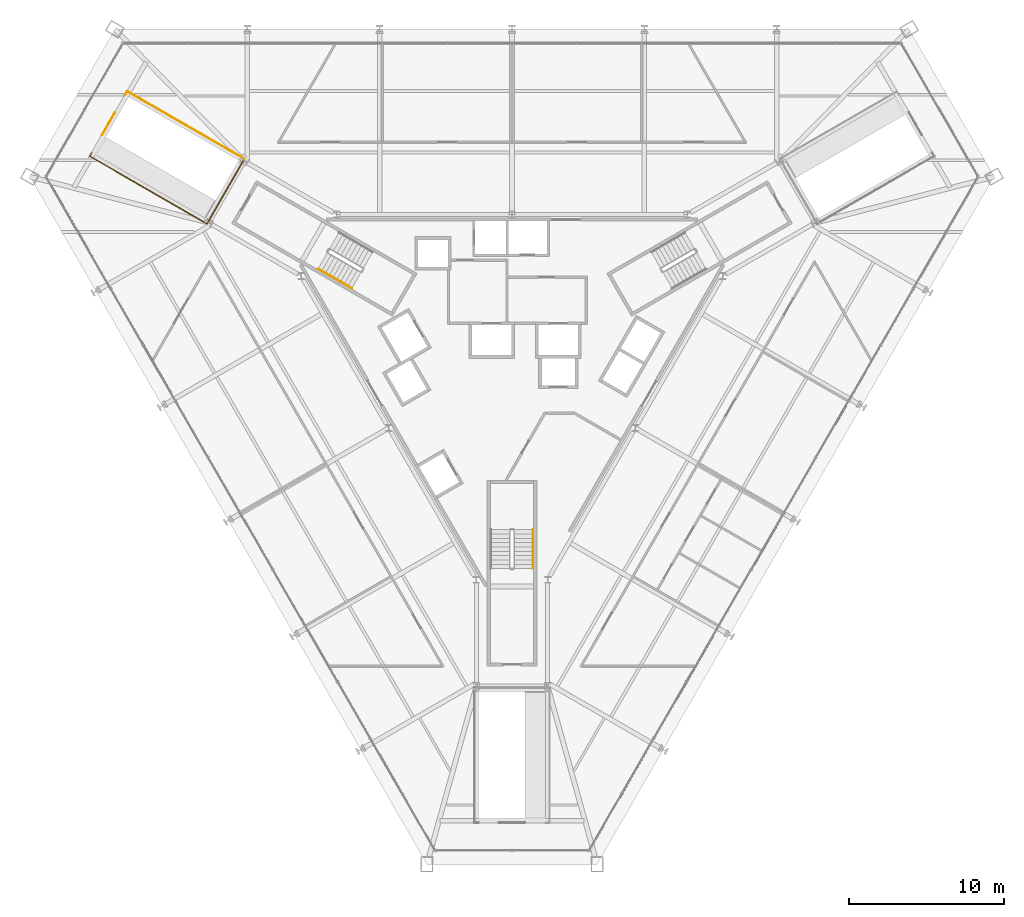
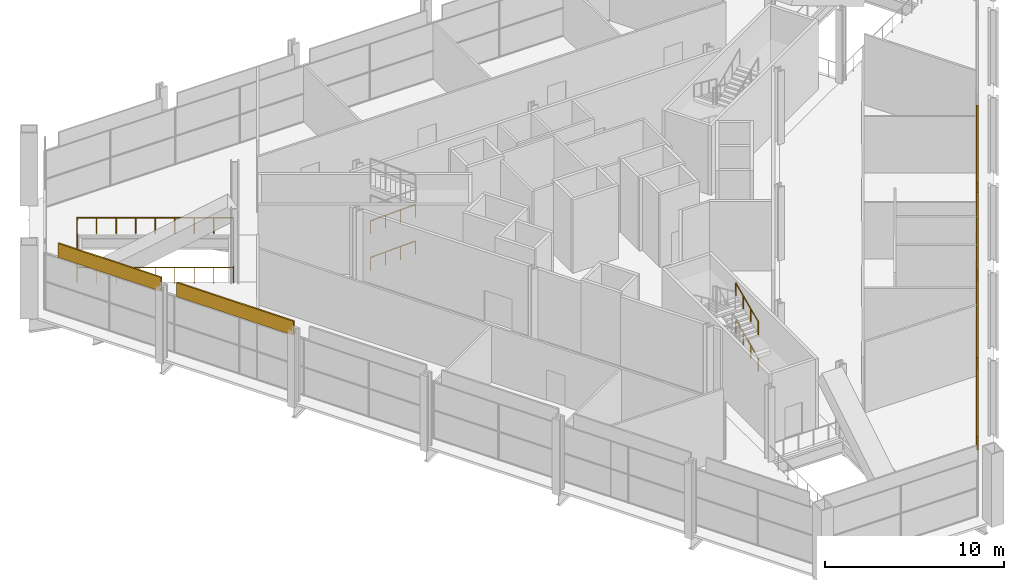
# One storey, part 17 of 20: 7 railings, 6 coverings.
"""IFC4 building model written with IfcOpenShell, lengths in metres."""

from ifc_helpers import new_model, si_unit, direction, frame, origin, origin_2d, place, context, subcontext, project, spatial, rectangle, circle, extrude, material, layer, layer_set, type_object, element, save


model = new_model("IFC4")

# Units and contexts
model_context = context("Model", 3, precision=1e-05, world=origin(), true_north=direction((0.0, 1.0)))
body_context = subcontext(model_context, "Body", "Model", "MODEL_VIEW")
ifc_project = project(units=[si_unit("LENGTHUNIT", "METRE"), si_unit("AREAUNIT", "SQUARE_METRE"), si_unit("VOLUMEUNIT", "CUBIC_METRE"), si_unit("PLANEANGLEUNIT", "RADIAN"), si_unit("MASSUNIT", "GRAM", prefix="KILO")], contexts=[model_context])

# Site, building, storey
site_placement = place(None, origin())
site = spatial("IfcSite", under=ifc_project, at=site_placement, CompositionType="ELEMENT")
building_placement = place(site_placement, origin())
building = spatial("IfcBuilding", under=site, at=building_placement, Name="Verrane Prism Tower", CompositionType="ELEMENT")
storey_placement = place(building_placement, frame((0.0, 0.0, 17.39990234375)))
storey = spatial("IfcBuildingStorey", under=building, at=storey_placement, Name="L02", CompositionType="ELEMENT", Elevation=17.39990234375)

# Coverings
ifc_material_1 = material(Name="Limestone cladding", Category="masonry")
ifc_layer = layer(ifc_material_1, 0.10009765625)
ifc_layer_set = layer_set([ifc_layer], Name="FA-100 stone fascia panel")
covering_type = type_object("IfcCoveringType", Name="FA-100 stone fascia panel", PredefinedType="CLADDING", material=ifc_layer_set)
covering_1_placement = place(storey_placement, frame((-28.026123046875, 8.002685546875, 3.89013671875), z_axis=(0.0, 0.0, 1.0), x_axis=(0.500000118955, -0.866025335106, 0.0)))
element("IfcCovering", 1, at=covering_1_placement, inside=storey, type_object=covering_type, Name="Stone fascia L02 4.1", PredefinedType="CLADDING", context=body_context, shape_type="SweptSolid", body=[
    extrude(rectangle(XDim=6.670654296875, YDim=0.10009765625, at=origin_2d()), origin(), (0.0, 0.0, 1.0), 0.949951171875),
])
covering_2_placement = place(storey_placement, frame((-23.96923828125, 0.975830078125, 3.89013671875), z_axis=(0.0, 0.0, 1.0), x_axis=(0.500000118955, -0.866025335106, 0.0)))
element("IfcCovering", 2, at=covering_2_placement, inside=storey, type_object=covering_type, Name="Stone fascia L02 4.2", PredefinedType="CLADDING", context=body_context, shape_type="SweptSolid", body=[
    extrude(rectangle(XDim=7.557373046875, YDim=0.10009765625, at=origin_2d()), origin(), (0.0, 0.0, 1.0), 0.949951171875),
])
covering_3_placement = place(storey_placement, frame((7.081787109375, -28.27392578125, 3.89013671875), z_axis=(0.0, 0.0, 1.0), x_axis=(0.500000118955, 0.866025335106, 0.0)))
element("IfcCovering", 3, at=covering_3_placement, inside=storey, type_object=covering_type, Name="Stone fascia L02 6.1", PredefinedType="CLADDING", context=body_context, shape_type="SweptSolid", body=[
    extrude(rectangle(XDim=6.67578125, YDim=0.10009765625, at=origin_2d()), origin(), (0.0, 0.0, 1.0), 0.949951171875),
])
covering_4_placement = place(storey_placement, frame((11.14013671875, -21.244873046875, 3.89013671875), z_axis=(0.0, 0.0, 1.0), x_axis=(0.500000118955, 0.866025335106, 0.0)))
element("IfcCovering", 4, at=covering_4_placement, inside=storey, type_object=covering_type, Name="Stone fascia L02 6.2", PredefinedType="CLADDING", context=body_context, shape_type="SweptSolid", body=[
    extrude(rectangle(XDim=7.55712890625, YDim=0.10009765625, at=origin_2d()), origin(), (0.0, 0.0, 1.0), 0.949951171875),
])
covering_5_placement = place(storey_placement, frame((15.415283203125, -13.83984375, 3.89013671875), z_axis=(0.0, 0.0, 1.0), x_axis=(0.500000118955, 0.866025335106, 0.0)))
element("IfcCovering", 5, at=covering_5_placement, inside=storey, type_object=covering_type, Name="Stone fascia L02 6.3", PredefinedType="CLADDING", context=body_context, shape_type="SweptSolid", body=[
    extrude(rectangle(XDim=7.543701171875, YDim=0.10009765625, at=origin_2d()), origin(), (0.0, 0.0, 1.0), 0.949951171875),
])
covering_6_placement = place(storey_placement, frame((19.6904296875, -6.43505859375, 3.89013671875), z_axis=(0.0, 0.0, 1.0), x_axis=(0.500000118955, 0.866025335106, 0.0)))
element("IfcCovering", 6, at=covering_6_placement, inside=storey, type_object=covering_type, Name="Stone fascia L02 6.4", PredefinedType="CLADDING", context=body_context, shape_type="SweptSolid", body=[
    extrude(rectangle(XDim=7.55712890625, YDim=0.10009765625, at=origin_2d()), origin(), (0.0, 0.0, 1.0), 0.949951171875),
])

# Railings
ifc_material_2 = material(Name="Stainless steel and laminated glass", Category="steel")
railing_type_1 = type_object("IfcRailingType", Name="GR-1100 glass and steel guard", PredefinedType="GUARDRAIL", material=ifc_material_2)
railing_1_placement = place(storey_placement, frame((-17.296875, 12.78076171875, 0.0)))
element("IfcRailing", 7, at=railing_1_placement, inside=storey, type_object=railing_type_1, Name="Guard EW2 L02 1", PredefinedType="GUARDRAIL", context=body_context, shape_type="SweptSolid", body=[
    extrude(circle(Radius=0.02392578125, at=origin_2d()), frame((0.0, 0.0, 1.076171875), z_axis=(-0.866029934428, 0.499992152613, 0.0), x_axis=(-0.499992152613, -0.866029934428, 0.0)), (0.0, 0.0, 1.0), 8.750244140625),
    extrude(circle(Radius=0.02392578125, at=origin_2d()), frame((-7.577880859375, 4.375, 1.076171875), z_axis=(-0.499919672301, -0.866071776036, 0.0), x_axis=(0.866071776036, -0.499919672301, 0.0)), (0.0, 0.0, 1.0), 0.25),
    extrude(circle(Radius=0.02099609375, at=origin_2d()), origin(), (0.0, 0.0, 1.0), 1.052001953125),
    extrude(circle(Radius=0.02099609375, at=origin_2d()), frame((-0.947265625, 0.546875, 0.0)), (0.0, 0.0, 1.0), 1.052001953125),
    extrude(circle(Radius=0.02099609375, at=origin_2d()), frame((-1.89453125, 1.09375, 0.0)), (0.0, 0.0, 1.0), 1.052001953125),
    extrude(circle(Radius=0.02099609375, at=origin_2d()), frame((-2.841796875, 1.640625, 0.0)), (0.0, 0.0, 1.0), 1.052001953125),
    extrude(circle(Radius=0.02099609375, at=origin_2d()), frame((-3.7890625, 2.1875, 0.0)), (0.0, 0.0, 1.0), 1.052001953125),
    extrude(circle(Radius=0.02099609375, at=origin_2d()), frame((-4.736083984375, 2.734375, 0.0)), (0.0, 0.0, 1.0), 1.052001953125),
    extrude(circle(Radius=0.02099609375, at=origin_2d()), frame((-5.683349609375, 3.28125, 0.0)), (0.0, 0.0, 1.0), 1.052001953125),
    extrude(circle(Radius=0.02099609375, at=origin_2d()), frame((-6.630615234375, 3.828125, 0.0)), (0.0, 0.0, 1.0), 1.052001953125),
    extrude(circle(Radius=0.02099609375, at=origin_2d()), frame((-7.577880859375, 4.375, 0.0)), (0.0, 0.0, 1.0), 1.052001953125),
    extrude(circle(Radius=0.02099609375, at=origin_2d()), frame((-7.702880859375, 4.158447265625, 0.0)), (0.0, 0.0, 1.0), 1.052001953125),
])
railing_2_placement = place(storey_placement, frame((-25.669677734375, 15.77880859375, 0.0)))
element("IfcRailing", 8, at=railing_2_placement, inside=storey, type_object=railing_type_1, Name="Guard EW2 L02 2", PredefinedType="GUARDRAIL", context=body_context, shape_type="SweptSolid", body=[
    extrude(circle(Radius=0.02392578125, at=origin_2d()), frame((0.0, 0.0, 1.076171875), z_axis=(-0.500061949227, -0.865989634427, 0.0), x_axis=(0.865989634427, -0.500061949227, 0.0)), (0.0, 0.0, 1.0), 1.659912109375),
    extrude(circle(Radius=0.02099609375, at=origin_2d()), origin(), (0.0, 0.0, 1.0), 1.052001953125),
    extrude(circle(Radius=0.02099609375, at=origin_2d()), frame((-0.4150390625, -0.71875, 0.0)), (0.0, 0.0, 1.0), 1.052001953125),
    extrude(circle(Radius=0.02099609375, at=origin_2d()), frame((-0.830078125, -1.4375, 0.0)), (0.0, 0.0, 1.0), 1.052001953125),
])
railing_3_placement = place(storey_placement, frame((-27.169677734375, 13.1806640625, 0.0)))
element("IfcRailing", 9, at=railing_3_placement, inside=storey, type_object=railing_type_1, Name="Guard EW2 L02 3", PredefinedType="GUARDRAIL", context=body_context, shape_type="SweptSolid", body=[
    extrude(circle(Radius=0.02392578125, at=origin_2d()), frame((0.0, 0.0, 1.076171875), z_axis=(-0.499919672301, -0.866071776036, 0.0), x_axis=(0.866071776036, -0.499919672301, 0.0)), (0.0, 0.0, 1.0), 0.25),
    extrude(circle(Radius=0.02392578125, at=origin_2d()), frame((-0.125, -0.216552734375, 1.076171875), z_axis=(0.866022959057, -0.500004234368, 0.0), x_axis=(0.500004234368, 0.866022959057, 0.0)), (0.0, 0.0, 1.0), 8.75),
    extrude(circle(Radius=0.02392578125, at=origin_2d()), frame((7.45263671875, -4.591552734375, 1.076171875), z_axis=(0.50001790234, 0.866015067617, 0.0), x_axis=(-0.866015067617, 0.50001790234, 0.0)), (0.0, 0.0, 1.0), 4.840087890625),
    extrude(circle(Radius=0.02099609375, at=origin_2d()), origin(), (0.0, 0.0, 1.0), 1.052001953125),
    extrude(circle(Radius=0.02099609375, at=origin_2d()), frame((-0.125, -0.216552734375, 0.0)), (0.0, 0.0, 1.0), 1.052001953125),
    extrude(circle(Radius=0.02099609375, at=origin_2d()), frame((0.822265625, -0.763427734375, 0.0)), (0.0, 0.0, 1.0), 1.052001953125),
    extrude(circle(Radius=0.02099609375, at=origin_2d()), frame((1.76953125, -1.310302734375, 0.0)), (0.0, 0.0, 1.0), 1.052001953125),
    extrude(circle(Radius=0.02099609375, at=origin_2d()), frame((2.716552734375, -1.857177734375, 0.0)), (0.0, 0.0, 1.0), 1.052001953125),
    extrude(circle(Radius=0.02099609375, at=origin_2d()), frame((3.663818359375, -2.404052734375, 0.0)), (0.0, 0.0, 1.0), 1.052001953125),
    extrude(circle(Radius=0.02099609375, at=origin_2d()), frame((4.611083984375, -2.950927734375, 0.0)), (0.0, 0.0, 1.0), 1.052001953125),
    extrude(circle(Radius=0.02099609375, at=origin_2d()), frame((5.55810546875, -3.497802734375, 0.0)), (0.0, 0.0, 1.0), 1.052001953125),
    extrude(circle(Radius=0.02099609375, at=origin_2d()), frame((6.50537109375, -4.044677734375, 0.0)), (0.0, 0.0, 1.0), 1.052001953125),
    extrude(circle(Radius=0.02099609375, at=origin_2d()), frame((7.45263671875, -4.591552734375, 0.0)), (0.0, 0.0, 1.0), 1.052001953125),
    extrude(circle(Radius=0.02099609375, at=origin_2d()), frame((7.936767578125, -3.753173828125, 0.0)), (0.0, 0.0, 1.0), 1.052001953125),
    extrude(circle(Radius=0.02099609375, at=origin_2d()), frame((8.420654296875, -2.914794921875, 0.0)), (0.0, 0.0, 1.0), 1.052001953125),
    extrude(circle(Radius=0.02099609375, at=origin_2d()), frame((8.90478515625, -2.07666015625, 0.0)), (0.0, 0.0, 1.0), 1.052001953125),
    extrude(circle(Radius=0.02099609375, at=origin_2d()), frame((9.388671875, -1.23828125, 0.0)), (0.0, 0.0, 1.0), 1.052001953125),
    extrude(circle(Radius=0.02099609375, at=origin_2d()), frame((9.872802734375, -0.39990234375, 0.0)), (0.0, 0.0, 1.0), 1.052001953125),
])
ifc_material_3 = material(Name="Steel A36 tube", Category="steel")
railing_type_2 = type_object("IfcRailingType", Name="Stair handrail 900 steel tube", PredefinedType="HANDRAIL", material=ifc_material_3)
for number, where, name in (
    (10, (-12.53955078125, 5.680908203125, 0.125), "Stair 2 handrail"),
    (11, (-12.53955078125, 5.680908203125, 2.625), "Stair 2 handrail"),
):
    element("IfcRailing", number, at=place(storey_placement, frame(where)), inside=storey, type_object=railing_type_2, Name=name, PredefinedType="HANDRAIL", context=body_context, shape_type="SweptSolid", body=[
        extrude(circle(Radius=0.02392578125, at=origin_2d()), frame((0.0, 0.0, 0.8759765625), z_axis=(0.790797836412, -0.456573177506, 0.407651463272), x_axis=(0.500004791531, 0.866022637375, 0.0)), (0.0, 0.0, 1.0), 2.759765625),
        extrude(circle(Radius=0.02099609375, at=origin_2d()), origin(), (0.0, 0.0, 1.0), 0.851806640625),
        extrude(circle(Radius=0.02099609375, at=origin_2d()), frame((0.7275390625, -0.419921875, 0.375)), (0.0, 0.0, 1.0), 0.851806640625),
        extrude(circle(Radius=0.02099609375, at=origin_2d()), frame((1.454833984375, -0.840087890625, 0.75)), (0.0, 0.0, 1.0), 0.851806640625),
        extrude(circle(Radius=0.02099609375, at=origin_2d()), frame((2.182373046875, -1.260009765625, 1.125)), (0.0, 0.0, 1.0), 0.851806640625),
    ])
for number, where, name in (
    (12, (1.35009765625, -13.699951171875, 0.125), "Stair 3 handrail"),
    (13, (1.35009765625, -13.699951171875, 2.625), "Stair 3 handrail"),
):
    element("IfcRailing", number, at=place(storey_placement, frame(where)), inside=storey, type_object=railing_type_2, Name=name, PredefinedType="HANDRAIL", context=body_context, shape_type="SweptSolid", body=[
        extrude(circle(Radius=0.02392578125, at=origin_2d()), frame((0.0, 0.0, 0.8759765625), z_axis=(0.0, 0.913139058521, 0.407648205936), x_axis=(-1.0, 0.0, 0.0)), (0.0, 0.0, 1.0), 2.759765625),
        extrude(circle(Radius=0.02099609375, at=origin_2d()), origin(), (0.0, 0.0, 1.0), 0.851806640625),
        extrude(circle(Radius=0.02099609375, at=origin_2d()), frame((0.0, 0.840087890625, 0.375)), (0.0, 0.0, 1.0), 0.851806640625),
        extrude(circle(Radius=0.02099609375, at=origin_2d()), frame((0.0, 1.679931640625, 0.75)), (0.0, 0.0, 1.0), 0.851806640625),
        extrude(circle(Radius=0.02099609375, at=origin_2d()), frame((0.0, 2.52001953125, 1.125)), (0.0, 0.0, 1.0), 0.851806640625),
    ])

save(model, "model.ifc")
